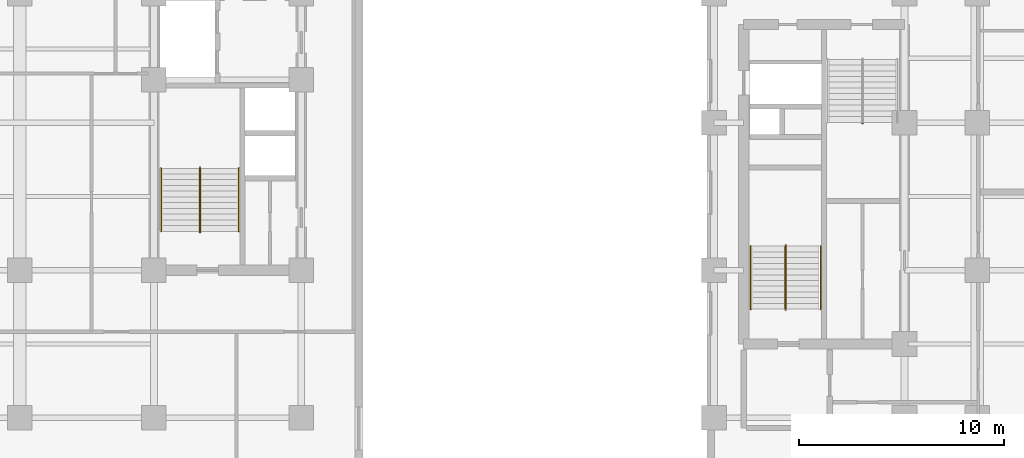
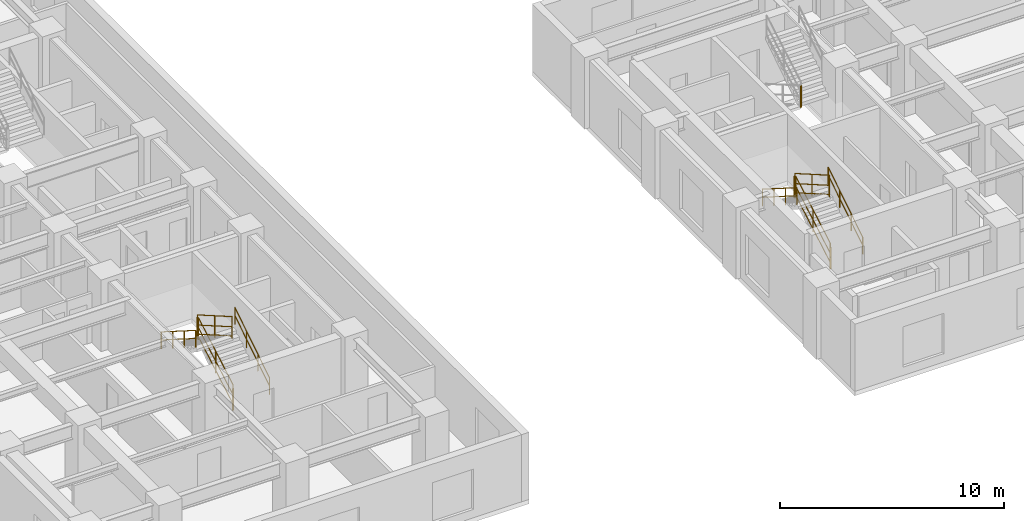
# One storey, part 7 of 9: 13 railings.
"""IFC4 building model written with IfcOpenShell, lengths in metres."""

from ifc_helpers import new_model, entity, si_unit, converted_unit, direction, frame, origin_with_axes, origin_2d_with_axis, place, context, subcontext, project, spatial, rectangle, circle, extrude, material, type_object, element, save


model = new_model("IFC4")

# Units and contexts
model_context = context("Model", 3, precision=1e-05, world=origin_with_axes(), true_north=direction((0.0, 1.0)))
body_context = subcontext(model_context, "Body", "Model", "MODEL_VIEW")
ifc_project = project(units=[si_unit("LENGTHUNIT", "METRE"), si_unit("AREAUNIT", "SQUARE_METRE"), si_unit("VOLUMEUNIT", "CUBIC_METRE"), converted_unit("PLANEANGLEUNIT", "DEGREE", entity("IfcPlaneAngleMeasure", 0.017453292519943295), si_unit("PLANEANGLEUNIT", "RADIAN"), dimensions=[0, 0, 0, 0, 0, 0, 0]), si_unit("MASSUNIT", "GRAM", prefix="KILO"), si_unit("THERMODYNAMICTEMPERATUREUNIT", "KELVIN")], contexts=[model_context])

# Site, building, storey
site_placement = place(None, origin_with_axes())
site = spatial("IfcSite", under=ifc_project, at=site_placement, CompositionType="ELEMENT")
building_placement = place(site_placement, origin_with_axes())
building = spatial("IfcBuilding", under=site, at=building_placement, Name="Varnlund Millrace Tower", CompositionType="ELEMENT")
storey_placement = place(building_placement, frame((0.0, 0.0, 108.6), z_axis=(0.0, 0.0, 1.0), x_axis=(1.0, 0.0, 0.0)))
storey = spatial("IfcBuildingStorey", under=building, at=storey_placement, Name="L26", CompositionType="ELEMENT", Elevation=108.6)

# Railings
ifc_material_1 = material(Name="Painted steel stair well balustrade guard", Category="steel")
railing_type_1 = type_object("IfcRailingType", Name="Type-StairGuard-1150", PredefinedType="GUARDRAIL", material=ifc_material_1)
railing_1_placement = place(storey_placement, frame((0.0, 0.0, -108.6), z_axis=(0.0, 0.0, 1.0), x_axis=(1.0, 0.0, 0.0)))
element("IfcRailing", 1, at=railing_1_placement, inside=storey, type_object=railing_type_1, Name="Type-StairGuard-1150", PredefinedType="GUARDRAIL", context=body_context, shape_type="SweptSolid", body=[
    extrude(circle(Radius=0.024, at=origin_2d_with_axis()), frame((13.675, 12.7, 109.927273), z_axis=(0.0, 0.866696, 0.498836), x_axis=(-1.0, 0.0, 0.0)), (0.0, 0.0, 1.0), 3.553725),
    extrude(circle(Radius=0.024, at=origin_2d_with_axis()), frame((13.675, 12.7, 108.877273), z_axis=(0.0, 0.866696, 0.498836), x_axis=(-1.0, 0.0, 0.0)), (0.0, 0.0, 1.0), 3.553725),
    extrude(circle(Radius=0.024, at=origin_2d_with_axis()), frame((13.675, 12.7, 109.375273), z_axis=(0.0, 0.866696, 0.498836), x_axis=(-1.0, 0.0, 0.0)), (0.0, 0.0, 1.0), 3.553725),
    extrude(rectangle(XDim=0.04, YDim=0.04, at=origin_2d_with_axis()), frame((13.675, 12.7, 108.737273), z_axis=(0.0, 0.0, 1.0), x_axis=(1.0, 0.0, 0.0)), (0.0, 0.0, 1.0), 1.19),
    extrude(rectangle(XDim=0.04, YDim=0.04, at=origin_2d_with_axis()), frame((13.675, 14.24, 109.623636), z_axis=(0.0, 0.0, 1.0), x_axis=(1.0, 0.0, 0.0)), (0.0, 0.0, 1.0), 1.19),
    extrude(rectangle(XDim=0.04, YDim=0.04, at=origin_2d_with_axis()), frame((13.675, 15.78, 110.51), z_axis=(0.0, 0.0, 1.0), x_axis=(1.0, 0.0, 0.0)), (0.0, 0.0, 1.0), 1.19),
])
railing_2_placement = place(storey_placement, frame((0.0, 0.0, -108.6), z_axis=(0.0, 0.0, 1.0), x_axis=(1.0, 0.0, 0.0)))
element("IfcRailing", 2, at=railing_2_placement, inside=storey, type_object=railing_type_1, Name="Type-StairGuard-1150", PredefinedType="GUARDRAIL", context=body_context, shape_type="SweptSolid", body=[
    extrude(circle(Radius=0.024, at=origin_2d_with_axis()), frame((13.625, 15.83, 111.7), z_axis=(1.0, 0.0, 0.0), x_axis=(0.0, 1.0, 0.0)), (0.0, 0.0, 1.0), 0.05),
    extrude(circle(Radius=0.024, at=origin_2d_with_axis()), frame((13.625, 15.83, 110.65), z_axis=(1.0, 0.0, 0.0), x_axis=(0.0, 1.0, 0.0)), (0.0, 0.0, 1.0), 0.05),
    extrude(circle(Radius=0.024, at=origin_2d_with_axis()), frame((13.625, 15.83, 111.148), z_axis=(1.0, 0.0, 0.0), x_axis=(0.0, 1.0, 0.0)), (0.0, 0.0, 1.0), 0.05),
    extrude(rectangle(XDim=0.04, YDim=0.04, at=origin_2d_with_axis()), frame((13.625, 15.83, 110.51), z_axis=(0.0, 0.0, 1.0), x_axis=(1.0, 0.0, 0.0)), (0.0, 0.0, 1.0), 1.19),
    extrude(rectangle(XDim=0.04, YDim=0.04, at=origin_2d_with_axis()), frame((13.675, 15.83, 110.51), z_axis=(0.0, 0.0, 1.0), x_axis=(1.0, 0.0, 0.0)), (0.0, 0.0, 1.0), 1.19),
])
railing_3_placement = place(storey_placement, frame((0.0, 0.0, -108.6), z_axis=(0.0, 0.0, 1.0), x_axis=(1.0, 0.0, 0.0)))
element("IfcRailing", 3, at=railing_3_placement, inside=storey, type_object=railing_type_1, Name="Type-StairGuard-1150", PredefinedType="GUARDRAIL", context=body_context, shape_type="SweptSolid", body=[
    extrude(circle(Radius=0.024, at=origin_2d_with_axis()), frame((13.625, 15.78, 111.877273), z_axis=(0.0, -0.866696, 0.498836), x_axis=(1.0, 0.0, 0.0)), (0.0, 0.0, 1.0), 3.553725),
    extrude(circle(Radius=0.024, at=origin_2d_with_axis()), frame((13.625, 15.78, 110.827273), z_axis=(0.0, -0.866696, 0.498836), x_axis=(1.0, 0.0, 0.0)), (0.0, 0.0, 1.0), 3.553725),
    extrude(circle(Radius=0.024, at=origin_2d_with_axis()), frame((13.625, 15.78, 111.325273), z_axis=(0.0, -0.866696, 0.498836), x_axis=(1.0, 0.0, 0.0)), (0.0, 0.0, 1.0), 3.553725),
    extrude(rectangle(XDim=0.04, YDim=0.04, at=origin_2d_with_axis()), frame((13.625, 15.78, 110.687273), z_axis=(0.0, 0.0, 1.0), x_axis=(1.0, 0.0, 0.0)), (0.0, 0.0, 1.0), 1.19),
    extrude(rectangle(XDim=0.04, YDim=0.04, at=origin_2d_with_axis()), frame((13.625, 14.24, 111.573636), z_axis=(0.0, 0.0, 1.0), x_axis=(1.0, 0.0, 0.0)), (0.0, 0.0, 1.0), 1.19),
    extrude(rectangle(XDim=0.04, YDim=0.04, at=origin_2d_with_axis()), frame((13.625, 12.7, 112.46), z_axis=(0.0, 0.0, 1.0), x_axis=(1.0, 0.0, 0.0)), (0.0, 0.0, 1.0), 1.19),
])
railing_4_placement = place(storey_placement, frame((0.0, 0.0, -108.6), z_axis=(0.0, 0.0, 1.0), x_axis=(1.0, 0.0, 0.0)))
element("IfcRailing", 4, at=railing_4_placement, inside=storey, type_object=railing_type_1, Name="Type-StairGuard-1150", PredefinedType="GUARDRAIL", context=body_context, shape_type="SweptSolid", body=[
    extrude(circle(Radius=0.024, at=origin_2d_with_axis()), frame((13.625, 12.65, 109.75), z_axis=(1.0, 0.0, 0.0), x_axis=(0.0, 1.0, 0.0)), (0.0, 0.0, 1.0), 0.05),
    extrude(circle(Radius=0.024, at=origin_2d_with_axis()), frame((13.625, 12.65, 108.7), z_axis=(1.0, 0.0, 0.0), x_axis=(0.0, 1.0, 0.0)), (0.0, 0.0, 1.0), 0.05),
    extrude(circle(Radius=0.024, at=origin_2d_with_axis()), frame((13.625, 12.65, 109.198), z_axis=(1.0, 0.0, 0.0), x_axis=(0.0, 1.0, 0.0)), (0.0, 0.0, 1.0), 0.05),
    extrude(rectangle(XDim=0.04, YDim=0.04, at=origin_2d_with_axis()), frame((13.625, 12.65, 108.56), z_axis=(0.0, 0.0, 1.0), x_axis=(1.0, 0.0, 0.0)), (0.0, 0.0, 1.0), 1.19),
    extrude(rectangle(XDim=0.04, YDim=0.04, at=origin_2d_with_axis()), frame((13.675, 12.65, 108.56), z_axis=(0.0, 0.0, 1.0), x_axis=(1.0, 0.0, 0.0)), (0.0, 0.0, 1.0), 1.19),
])
railing_5_placement = place(storey_placement, frame((0.0, 0.0, -108.6), z_axis=(0.0, 0.0, 1.0), x_axis=(1.0, 0.0, 0.0)))
element("IfcRailing", 5, at=railing_5_placement, inside=storey, type_object=railing_type_1, Name="Type-StairGuard-1150", PredefinedType="GUARDRAIL", context=body_context, shape_type="SweptSolid", body=[
    extrude(circle(Radius=0.024, at=origin_2d_with_axis()), frame((42.275, 8.9, 109.927273), z_axis=(0.0, 0.866696, 0.498836), x_axis=(-1.0, 0.0, 0.0)), (0.0, 0.0, 1.0), 3.553725),
    extrude(circle(Radius=0.024, at=origin_2d_with_axis()), frame((42.275, 8.9, 108.877273), z_axis=(0.0, 0.866696, 0.498836), x_axis=(-1.0, 0.0, 0.0)), (0.0, 0.0, 1.0), 3.553725),
    extrude(circle(Radius=0.024, at=origin_2d_with_axis()), frame((42.275, 8.9, 109.375273), z_axis=(0.0, 0.866696, 0.498836), x_axis=(-1.0, 0.0, 0.0)), (0.0, 0.0, 1.0), 3.553725),
    extrude(rectangle(XDim=0.04, YDim=0.04, at=origin_2d_with_axis()), frame((42.275, 8.9, 108.737273), z_axis=(0.0, 0.0, 1.0), x_axis=(1.0, 0.0, 0.0)), (0.0, 0.0, 1.0), 1.19),
    extrude(rectangle(XDim=0.04, YDim=0.04, at=origin_2d_with_axis()), frame((42.275, 10.44, 109.623636), z_axis=(0.0, 0.0, 1.0), x_axis=(1.0, 0.0, 0.0)), (0.0, 0.0, 1.0), 1.19),
    extrude(rectangle(XDim=0.04, YDim=0.04, at=origin_2d_with_axis()), frame((42.275, 11.98, 110.51), z_axis=(0.0, 0.0, 1.0), x_axis=(1.0, 0.0, 0.0)), (0.0, 0.0, 1.0), 1.19),
])
railing_6_placement = place(storey_placement, frame((0.0, 0.0, -108.6), z_axis=(0.0, 0.0, 1.0), x_axis=(1.0, 0.0, 0.0)))
element("IfcRailing", 6, at=railing_6_placement, inside=storey, type_object=railing_type_1, Name="Type-StairGuard-1150", PredefinedType="GUARDRAIL", context=body_context, shape_type="SweptSolid", body=[
    extrude(circle(Radius=0.024, at=origin_2d_with_axis()), frame((42.225, 12.03, 111.7), z_axis=(1.0, 0.0, 0.0), x_axis=(0.0, 1.0, 0.0)), (0.0, 0.0, 1.0), 0.05),
    extrude(circle(Radius=0.024, at=origin_2d_with_axis()), frame((42.225, 12.03, 110.65), z_axis=(1.0, 0.0, 0.0), x_axis=(0.0, 1.0, 0.0)), (0.0, 0.0, 1.0), 0.05),
    extrude(circle(Radius=0.024, at=origin_2d_with_axis()), frame((42.225, 12.03, 111.148), z_axis=(1.0, 0.0, 0.0), x_axis=(0.0, 1.0, 0.0)), (0.0, 0.0, 1.0), 0.05),
    extrude(rectangle(XDim=0.04, YDim=0.04, at=origin_2d_with_axis()), frame((42.225, 12.03, 110.51), z_axis=(0.0, 0.0, 1.0), x_axis=(1.0, 0.0, 0.0)), (0.0, 0.0, 1.0), 1.19),
    extrude(rectangle(XDim=0.04, YDim=0.04, at=origin_2d_with_axis()), frame((42.275, 12.03, 110.51), z_axis=(0.0, 0.0, 1.0), x_axis=(1.0, 0.0, 0.0)), (0.0, 0.0, 1.0), 1.19),
])
railing_7_placement = place(storey_placement, frame((0.0, 0.0, -108.6), z_axis=(0.0, 0.0, 1.0), x_axis=(1.0, 0.0, 0.0)))
element("IfcRailing", 7, at=railing_7_placement, inside=storey, type_object=railing_type_1, Name="Type-StairGuard-1150", PredefinedType="GUARDRAIL", context=body_context, shape_type="SweptSolid", body=[
    extrude(circle(Radius=0.024, at=origin_2d_with_axis()), frame((42.225, 11.98, 111.877273), z_axis=(0.0, -0.866696, 0.498836), x_axis=(1.0, 0.0, 0.0)), (0.0, 0.0, 1.0), 3.553725),
    extrude(circle(Radius=0.024, at=origin_2d_with_axis()), frame((42.225, 11.98, 110.827273), z_axis=(0.0, -0.866696, 0.498836), x_axis=(1.0, 0.0, 0.0)), (0.0, 0.0, 1.0), 3.553725),
    extrude(circle(Radius=0.024, at=origin_2d_with_axis()), frame((42.225, 11.98, 111.325273), z_axis=(0.0, -0.866696, 0.498836), x_axis=(1.0, 0.0, 0.0)), (0.0, 0.0, 1.0), 3.553725),
    extrude(rectangle(XDim=0.04, YDim=0.04, at=origin_2d_with_axis()), frame((42.225, 11.98, 110.687273), z_axis=(0.0, 0.0, 1.0), x_axis=(1.0, 0.0, 0.0)), (0.0, 0.0, 1.0), 1.19),
    extrude(rectangle(XDim=0.04, YDim=0.04, at=origin_2d_with_axis()), frame((42.225, 10.44, 111.573636), z_axis=(0.0, 0.0, 1.0), x_axis=(1.0, 0.0, 0.0)), (0.0, 0.0, 1.0), 1.19),
    extrude(rectangle(XDim=0.04, YDim=0.04, at=origin_2d_with_axis()), frame((42.225, 8.9, 112.46), z_axis=(0.0, 0.0, 1.0), x_axis=(1.0, 0.0, 0.0)), (0.0, 0.0, 1.0), 1.19),
])
railing_8_placement = place(storey_placement, frame((0.0, 0.0, -108.6), z_axis=(0.0, 0.0, 1.0), x_axis=(1.0, 0.0, 0.0)))
element("IfcRailing", 8, at=railing_8_placement, inside=storey, type_object=railing_type_1, Name="Type-StairGuard-1150", PredefinedType="GUARDRAIL", context=body_context, shape_type="SweptSolid", body=[
    extrude(circle(Radius=0.024, at=origin_2d_with_axis()), frame((42.225, 8.85, 109.75), z_axis=(1.0, 0.0, 0.0), x_axis=(0.0, 1.0, 0.0)), (0.0, 0.0, 1.0), 0.05),
    extrude(circle(Radius=0.024, at=origin_2d_with_axis()), frame((42.225, 8.85, 108.7), z_axis=(1.0, 0.0, 0.0), x_axis=(0.0, 1.0, 0.0)), (0.0, 0.0, 1.0), 0.05),
    extrude(circle(Radius=0.024, at=origin_2d_with_axis()), frame((42.225, 8.85, 109.198), z_axis=(1.0, 0.0, 0.0), x_axis=(0.0, 1.0, 0.0)), (0.0, 0.0, 1.0), 0.05),
    extrude(rectangle(XDim=0.04, YDim=0.04, at=origin_2d_with_axis()), frame((42.225, 8.85, 108.56), z_axis=(0.0, 0.0, 1.0), x_axis=(1.0, 0.0, 0.0)), (0.0, 0.0, 1.0), 1.19),
    extrude(rectangle(XDim=0.04, YDim=0.04, at=origin_2d_with_axis()), frame((42.275, 8.85, 108.56), z_axis=(0.0, 0.0, 1.0), x_axis=(1.0, 0.0, 0.0)), (0.0, 0.0, 1.0), 1.19),
])
railing_9_placement = place(storey_placement, frame((0.0, 0.0, -108.6), z_axis=(0.0, 0.0, 1.0), x_axis=(1.0, 0.0, 0.0)))
element("IfcRailing", 9, at=railing_9_placement, inside=storey, type_object=railing_type_1, Name="Type-StairGuard-1150", PredefinedType="GUARDRAIL", context=body_context, shape_type="SweptSolid", body=[
    extrude(circle(Radius=0.024, at=origin_2d_with_axis()), frame((46.025, 17.97, 111.7), z_axis=(-1.0, 0.0, 0.0), x_axis=(0.0, -1.0, 0.0)), (0.0, 0.0, 1.0), 0.05),
    extrude(circle(Radius=0.024, at=origin_2d_with_axis()), frame((46.025, 17.97, 110.65), z_axis=(-1.0, 0.0, 0.0), x_axis=(0.0, -1.0, 0.0)), (0.0, 0.0, 1.0), 0.05),
    extrude(circle(Radius=0.024, at=origin_2d_with_axis()), frame((46.025, 17.97, 111.148), z_axis=(-1.0, 0.0, 0.0), x_axis=(0.0, -1.0, 0.0)), (0.0, 0.0, 1.0), 0.05),
    extrude(rectangle(XDim=0.04, YDim=0.04, at=origin_2d_with_axis()), frame((46.025, 17.97, 110.51), z_axis=(0.0, 0.0, 1.0), x_axis=(1.0, 0.0, 0.0)), (0.0, 0.0, 1.0), 1.19),
    extrude(rectangle(XDim=0.04, YDim=0.04, at=origin_2d_with_axis()), frame((45.975, 17.97, 110.51), z_axis=(0.0, 0.0, 1.0), x_axis=(1.0, 0.0, 0.0)), (0.0, 0.0, 1.0), 1.19),
])
ifc_material_2 = material(Name="Brushed architectural bronze stair handrail", Category="aluminium")
railing_type_2 = type_object("IfcRailingType", Name="Type-StairHandrail-900", PredefinedType="HANDRAIL", material=ifc_material_2)
railing_10_placement = place(storey_placement, frame((0.0, 0.0, -108.6), z_axis=(0.0, 0.0, 1.0), x_axis=(1.0, 0.0, 0.0)))
element("IfcRailing", 10, at=railing_10_placement, inside=storey, type_object=railing_type_2, Name="Type-StairHandrail-900", PredefinedType="HANDRAIL", context=body_context, shape_type="SweptSolid", body=[
    extrude(circle(Radius=0.024, at=origin_2d_with_axis()), frame((15.55, 12.7, 109.656995), z_axis=(0.0, 0.844902, 0.534922), x_axis=(-1.0, 0.0, 0.0)), (0.0, 0.0, 1.0), 3.645394),
    extrude(circle(Radius=0.024, at=origin_2d_with_axis()), frame((15.55, 12.7, 109.217134), z_axis=(0.0, 0.844902, 0.534922), x_axis=(-1.0, 0.0, 0.0)), (0.0, 0.0, 1.0), 3.645394),
    extrude(rectangle(XDim=0.04, YDim=0.04, at=origin_2d_with_axis()), frame((15.55, 12.7, 108.737273), z_axis=(0.0, 0.0, 1.0), x_axis=(1.0, 0.0, 0.0)), (0.0, 0.0, 1.0), 0.919722),
    extrude(rectangle(XDim=0.04, YDim=0.04, at=origin_2d_with_axis()), frame((15.55, 13.726667, 109.387273), z_axis=(0.0, 0.0, 1.0), x_axis=(1.0, 0.0, 0.0)), (0.0, 0.0, 1.0), 0.919722),
    extrude(rectangle(XDim=0.04, YDim=0.04, at=origin_2d_with_axis()), frame((15.55, 14.753333, 110.037273), z_axis=(0.0, 0.0, 1.0), x_axis=(1.0, 0.0, 0.0)), (0.0, 0.0, 1.0), 0.919722),
    extrude(rectangle(XDim=0.04, YDim=0.04, at=origin_2d_with_axis()), frame((15.55, 15.78, 110.687273), z_axis=(0.0, 0.0, 1.0), x_axis=(1.0, 0.0, 0.0)), (0.0, 0.0, 1.0), 0.919722),
])
railing_11_placement = place(storey_placement, frame((0.0, 0.0, -108.6), z_axis=(0.0, 0.0, 1.0), x_axis=(1.0, 0.0, 0.0)))
element("IfcRailing", 11, at=railing_11_placement, inside=storey, type_object=railing_type_2, Name="Type-StairHandrail-900", PredefinedType="HANDRAIL", context=body_context, shape_type="SweptSolid", body=[
    extrude(circle(Radius=0.024, at=origin_2d_with_axis()), frame((11.75, 15.78, 111.606995), z_axis=(0.0, -0.844902, 0.534922), x_axis=(1.0, 0.0, 0.0)), (0.0, 0.0, 1.0), 3.645394),
    extrude(circle(Radius=0.024, at=origin_2d_with_axis()), frame((11.75, 15.78, 111.167134), z_axis=(0.0, -0.844902, 0.534922), x_axis=(1.0, 0.0, 0.0)), (0.0, 0.0, 1.0), 3.645394),
    extrude(rectangle(XDim=0.04, YDim=0.04, at=origin_2d_with_axis()), frame((11.75, 15.78, 110.687273), z_axis=(0.0, 0.0, 1.0), x_axis=(1.0, 0.0, 0.0)), (0.0, 0.0, 1.0), 0.919722),
    extrude(rectangle(XDim=0.04, YDim=0.04, at=origin_2d_with_axis()), frame((11.75, 14.753333, 111.337273), z_axis=(0.0, 0.0, 1.0), x_axis=(1.0, 0.0, 0.0)), (0.0, 0.0, 1.0), 0.919722),
    extrude(rectangle(XDim=0.04, YDim=0.04, at=origin_2d_with_axis()), frame((11.75, 13.726667, 111.987273), z_axis=(0.0, 0.0, 1.0), x_axis=(1.0, 0.0, 0.0)), (0.0, 0.0, 1.0), 0.919722),
    extrude(rectangle(XDim=0.04, YDim=0.04, at=origin_2d_with_axis()), frame((11.75, 12.7, 112.637273), z_axis=(0.0, 0.0, 1.0), x_axis=(1.0, 0.0, 0.0)), (0.0, 0.0, 1.0), 0.919722),
])
railing_12_placement = place(storey_placement, frame((0.0, 0.0, -108.6), z_axis=(0.0, 0.0, 1.0), x_axis=(1.0, 0.0, 0.0)))
element("IfcRailing", 12, at=railing_12_placement, inside=storey, type_object=railing_type_2, Name="Type-StairHandrail-900", PredefinedType="HANDRAIL", context=body_context, shape_type="SweptSolid", body=[
    extrude(circle(Radius=0.024, at=origin_2d_with_axis()), frame((43.95, 8.9, 109.656995), z_axis=(0.0, 0.844902, 0.534922), x_axis=(-1.0, 0.0, 0.0)), (0.0, 0.0, 1.0), 3.645394),
    extrude(circle(Radius=0.024, at=origin_2d_with_axis()), frame((43.95, 8.9, 109.217134), z_axis=(0.0, 0.844902, 0.534922), x_axis=(-1.0, 0.0, 0.0)), (0.0, 0.0, 1.0), 3.645394),
    extrude(rectangle(XDim=0.04, YDim=0.04, at=origin_2d_with_axis()), frame((43.95, 8.9, 108.737273), z_axis=(0.0, 0.0, 1.0), x_axis=(1.0, 0.0, 0.0)), (0.0, 0.0, 1.0), 0.919722),
    extrude(rectangle(XDim=0.04, YDim=0.04, at=origin_2d_with_axis()), frame((43.95, 9.926667, 109.387273), z_axis=(0.0, 0.0, 1.0), x_axis=(1.0, 0.0, 0.0)), (0.0, 0.0, 1.0), 0.919722),
    extrude(rectangle(XDim=0.04, YDim=0.04, at=origin_2d_with_axis()), frame((43.95, 10.953333, 110.037273), z_axis=(0.0, 0.0, 1.0), x_axis=(1.0, 0.0, 0.0)), (0.0, 0.0, 1.0), 0.919722),
    extrude(rectangle(XDim=0.04, YDim=0.04, at=origin_2d_with_axis()), frame((43.95, 11.98, 110.687273), z_axis=(0.0, 0.0, 1.0), x_axis=(1.0, 0.0, 0.0)), (0.0, 0.0, 1.0), 0.919722),
])
railing_13_placement = place(storey_placement, frame((0.0, 0.0, -108.6), z_axis=(0.0, 0.0, 1.0), x_axis=(1.0, 0.0, 0.0)))
element("IfcRailing", 13, at=railing_13_placement, inside=storey, type_object=railing_type_2, Name="Type-StairHandrail-900", PredefinedType="HANDRAIL", context=body_context, shape_type="SweptSolid", body=[
    extrude(circle(Radius=0.024, at=origin_2d_with_axis()), frame((40.55, 11.98, 111.606995), z_axis=(0.0, -0.844902, 0.534922), x_axis=(1.0, 0.0, 0.0)), (0.0, 0.0, 1.0), 3.645394),
    extrude(circle(Radius=0.024, at=origin_2d_with_axis()), frame((40.55, 11.98, 111.167134), z_axis=(0.0, -0.844902, 0.534922), x_axis=(1.0, 0.0, 0.0)), (0.0, 0.0, 1.0), 3.645394),
    extrude(rectangle(XDim=0.04, YDim=0.04, at=origin_2d_with_axis()), frame((40.55, 11.98, 110.687273), z_axis=(0.0, 0.0, 1.0), x_axis=(1.0, 0.0, 0.0)), (0.0, 0.0, 1.0), 0.919722),
    extrude(rectangle(XDim=0.04, YDim=0.04, at=origin_2d_with_axis()), frame((40.55, 10.953333, 111.337273), z_axis=(0.0, 0.0, 1.0), x_axis=(1.0, 0.0, 0.0)), (0.0, 0.0, 1.0), 0.919722),
    extrude(rectangle(XDim=0.04, YDim=0.04, at=origin_2d_with_axis()), frame((40.55, 9.926667, 111.987273), z_axis=(0.0, 0.0, 1.0), x_axis=(1.0, 0.0, 0.0)), (0.0, 0.0, 1.0), 0.919722),
    extrude(rectangle(XDim=0.04, YDim=0.04, at=origin_2d_with_axis()), frame((40.55, 8.9, 112.637273), z_axis=(0.0, 0.0, 1.0), x_axis=(1.0, 0.0, 0.0)), (0.0, 0.0, 1.0), 0.919722),
])

save(model, "model.ifc")
